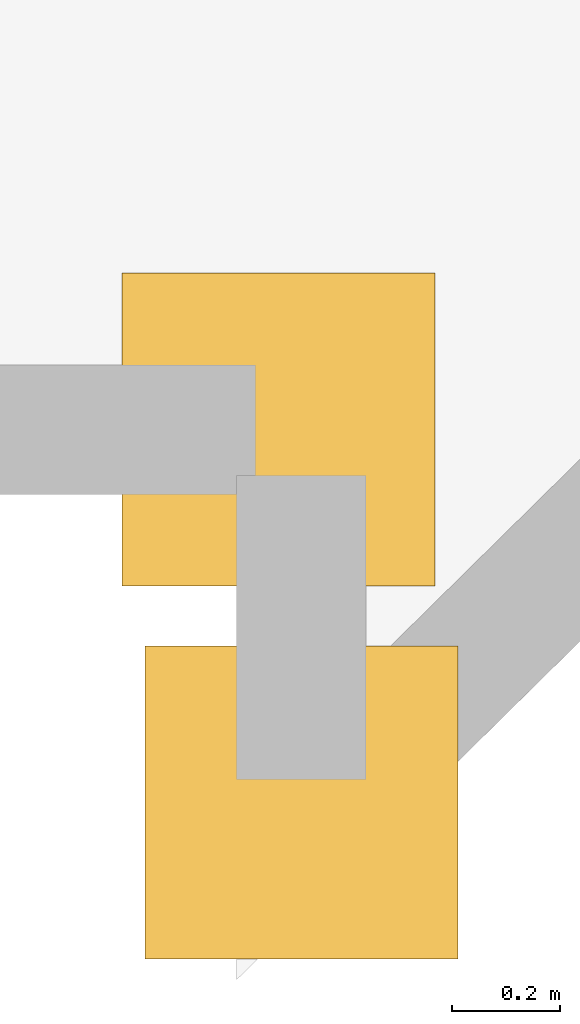
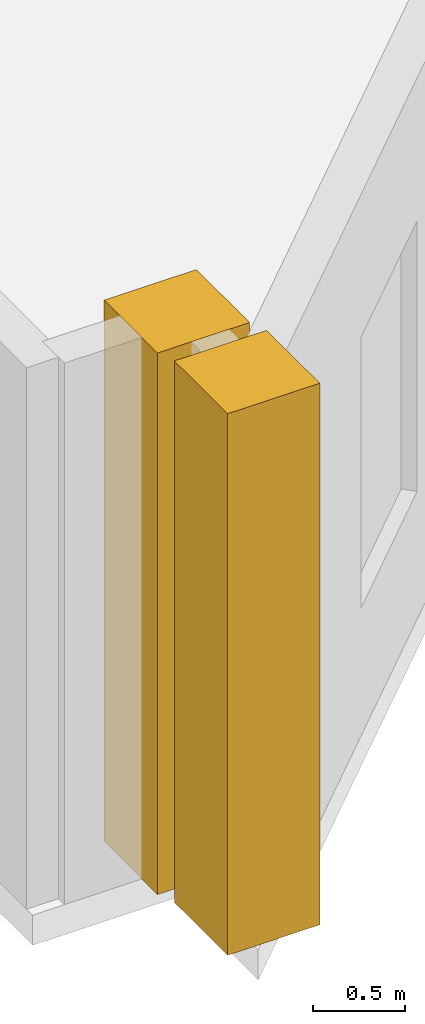
# One storey, part 12 of 13: 2 coverings.
"""IFC4 building model written with IfcOpenShell, lengths in metres."""

from ifc_helpers import new_model, si_unit, direction, frame, origin, origin_2d, place, context, subcontext, project, spatial, rectangle, extrude, material, layer, layer_set, type_object, element, save


model = new_model("IFC4")

# Units and contexts
model_context = context("Model", 3, precision=1e-05, world=origin(), true_north=direction((0.0, 1.0)))
body_context = subcontext(model_context, "Body", "Model", "MODEL_VIEW")
ifc_project = project(units=[si_unit("LENGTHUNIT", "METRE"), si_unit("AREAUNIT", "SQUARE_METRE"), si_unit("VOLUMEUNIT", "CUBIC_METRE"), si_unit("PLANEANGLEUNIT", "RADIAN"), si_unit("MASSUNIT", "GRAM", prefix="KILO")], contexts=[model_context])

# Site, building, storey
site_placement = place(None, origin())
site = spatial("IfcSite", under=ifc_project, at=site_placement, CompositionType="ELEMENT")
building_placement = place(site_placement, origin())
building = spatial("IfcBuilding", under=site, at=building_placement, Name="Haolan Belvedere Tower", CompositionType="ELEMENT")
storey_placement = place(building_placement, frame((0.0, 0.0, 117.39990234375)))
storey = spatial("IfcBuildingStorey", under=building, at=storey_placement, Name="L29", CompositionType="ELEMENT", Elevation=117.39990234375)

# Coverings
ifc_material = material(Name="Pale champagne-silver anodised aluminium rainscreen cladding", Category="aluminium")
ifc_layer = layer(ifc_material, 0.034912109375, Name="Pale champagne-silver anodised aluminium rainscreen cladding")
ifc_layer_set = layer_set([ifc_layer], Name="Pale champagne-silver anodised aluminium rainscreen cladding")
covering_type = type_object("IfcCoveringType", Name="COV-CLAD-35", PredefinedType="CLADDING", material=ifc_layer_set)
for number, where, z_axis, x_axis, name in (
    (1, (3.95751953125, 7.416015625, 0.0), (0.0, 0.0, 1.0), (1.0, 0.0, 0.0), "L29 pale-metal serrated corner cladding trim 1"),
    (2, (4.0, 6.725341796875, 0.0), (0.0, 0.0, 1.0), (1.0, 0.0, 0.0), "L29 pale-metal serrated corner cladding trim 2"),
):
    element("IfcCovering", number, at=place(storey_placement, frame(where, z_axis=z_axis, x_axis=x_axis)), inside=storey, type_object=covering_type, Name=name, PredefinedType="CLADDING", context=body_context, shape_type="SweptSolid", body=[
        extrude(rectangle(XDim=0.580078125, YDim=0.580078125, at=origin_2d()), origin(), (0.0, 0.0, 1.0), 3.60009765625),
    ])

save(model, "model.ifc")
